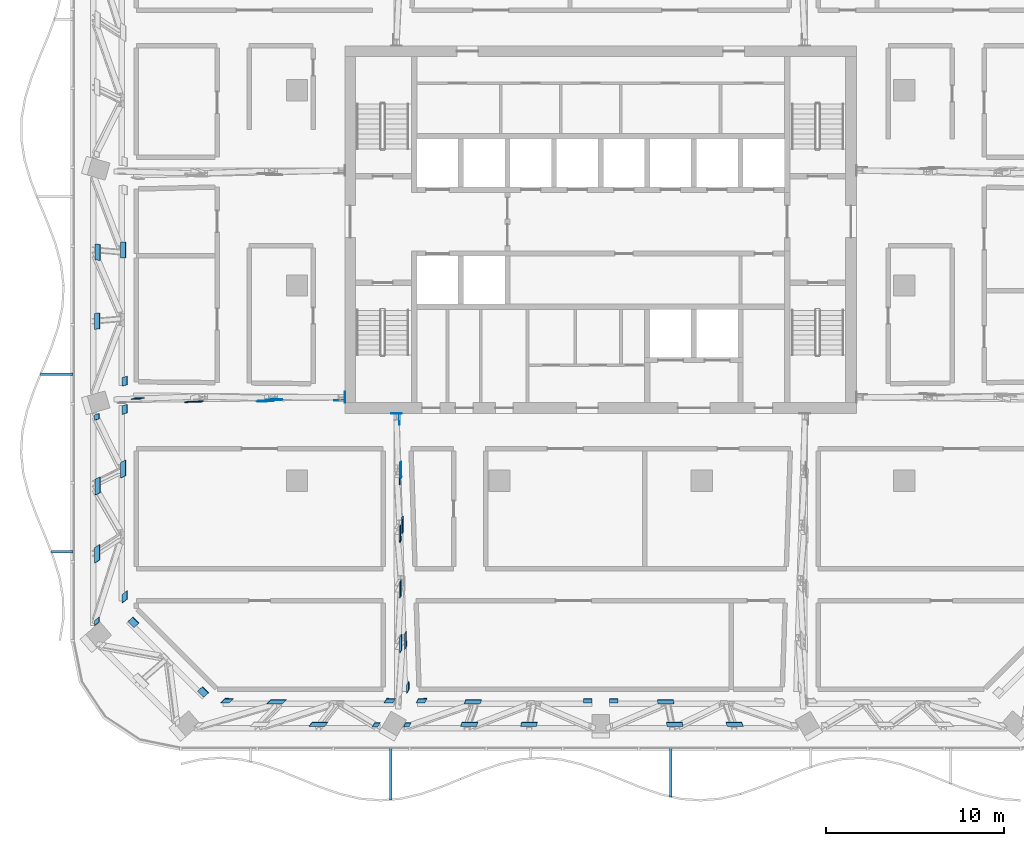
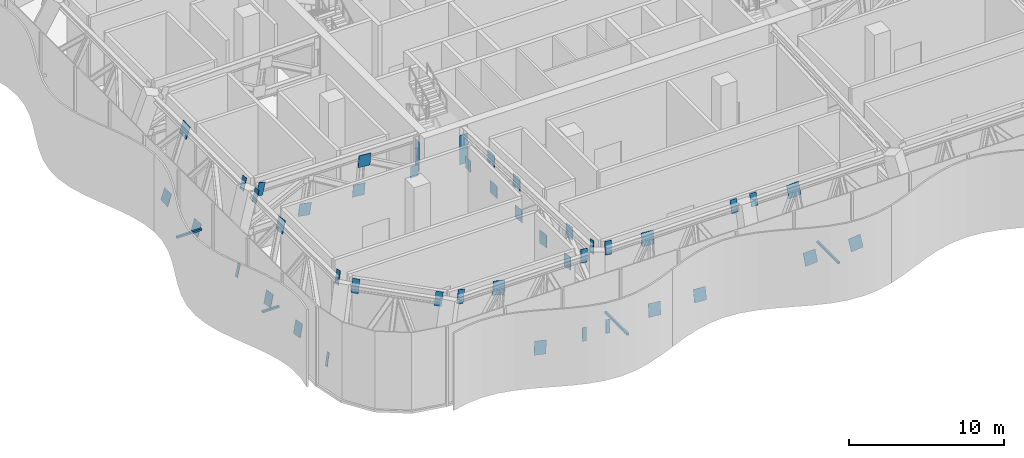
# One storey, part 15 of 29: 48 discrete accessories.
"""IFC4 building model written with IfcOpenShell, lengths in metres."""

from ifc_helpers import new_model, si_unit, direction, frame, origin, origin_2d, place, context, subcontext, project, spatial, rectangle, extrude, material, layer, layer_set, type_object, element, save


model = new_model("IFC4")

# Units and contexts
model_context = context("Model", 3, precision=1e-05, world=origin(), true_north=direction((0.0, 1.0)))
body_context = subcontext(model_context, "Body", "Model", "MODEL_VIEW")
ifc_project = project(units=[si_unit("LENGTHUNIT", "METRE"), si_unit("AREAUNIT", "SQUARE_METRE"), si_unit("VOLUMEUNIT", "CUBIC_METRE"), si_unit("PLANEANGLEUNIT", "RADIAN"), si_unit("MASSUNIT", "GRAM", prefix="KILO")], contexts=[model_context])

# Site, building, storey
site_placement = place(None, origin())
site = spatial("IfcSite", under=ifc_project, at=site_placement, CompositionType="ELEMENT")
building_placement = place(site_placement, origin())
building = spatial("IfcBuilding", under=site, at=building_placement, Name="Mopane Tessera Tower", CompositionType="ELEMENT")
storey_placement = place(building_placement, frame((0.0, 0.0, 315.39990234375)))
storey = spatial("IfcBuildingStorey", under=building, at=storey_placement, Name="L69", CompositionType="ELEMENT", Elevation=315.39990234375)

# Discrete accessories
ifc_material_1 = material(Name="Structural steel S460", Category="steel")
ifc_layer_1 = layer(ifc_material_1, 0.014892578125)
ifc_layer_set_1 = layer_set([ifc_layer_1], Name="Structural steel S460")
discrete_accessory_type_1 = type_object("IfcDiscreteAccessoryType", Name="Cast-in anchor plate 15 mm", PredefinedType="ANCHORPLATE", material=ifc_layer_set_1)
for number, where, z_axis, x_axis, name in (
    (1, (-14.407470703125, -6.300048828125, 2.72021484375), (0.0, 0.0, 1.0), (-1.0, 0.0, 0.0), "Cast-in anchor plate s ot L69 W2 p"),
    (2, (-11.5009765625, -7.20751953125, 2.72021484375), (0.0, 0.0, 1.0), (0.0, -1.0, 0.0), "Cast-in anchor plate s ot L69 S1 p"),
):
    element("IfcDiscreteAccessory", number, at=place(storey_placement, frame(where, z_axis=z_axis, x_axis=x_axis)), inside=storey, type_object=discrete_accessory_type_1, Name=name, PredefinedType="ANCHORPLATE", context=body_context, shape_type="SweptSolid", body=[
        extrude(rectangle(XDim=0.014892578125, YDim=0.60498046875, at=origin_2d()), origin(), (0.0, 0.0, 1.0), 2.309814453125),
    ])
ifc_material_2 = material(Name="Stainless steel S316", Category="steel")
discrete_accessory_type_2 = type_object("IfcDiscreteAccessoryType", Name="Louvre bracket 150 x 150", PredefinedType="BRACKET", material=ifc_material_2)
discrete_accessory_1_placement = place(storey_placement, frame((-11.824951171875, -27.51806640625, 2.5400390625), z_axis=(0.0, 0.0, 1.0), x_axis=(0.0, -1.0, 0.0)))
element("IfcDiscreteAccessory", 3, at=discrete_accessory_1_placement, inside=storey, type_object=discrete_accessory_type_2, Name="e:lv:L69:S:0:br1", PredefinedType="BRACKET", context=body_context, shape_type="SweptSolid", body=[
    extrude(rectangle(XDim=2.916015625, YDim=0.14990234375, at=origin_2d()), origin(), (0.0, 0.0, 1.0), 0.14990234375),
])
discrete_accessory_2_placement = place(storey_placement, frame((3.941650390625, -27.43212890625, 2.5400390625), z_axis=(0.0, 0.0, 1.0), x_axis=(0.0, -1.0, 0.0)))
element("IfcDiscreteAccessory", 4, at=discrete_accessory_2_placement, inside=storey, type_object=discrete_accessory_type_2, Name="e:lv:L69:S:1:br1", PredefinedType="BRACKET", context=body_context, shape_type="SweptSolid", body=[
    extrude(rectangle(XDim=2.744384765625, YDim=0.14990234375, at=origin_2d()), origin(), (0.0, 0.0, 1.0), 0.14990234375),
])
discrete_accessory_3_placement = place(storey_placement, frame((-30.63232421875, -5.0, 2.5400390625), z_axis=(0.0, 0.0, 1.0), x_axis=(-1.0, 0.0, 0.0)))
element("IfcDiscreteAccessory", 5, at=discrete_accessory_3_placement, inside=storey, type_object=discrete_accessory_type_2, Name="e:lv:L69:W:1:br0", PredefinedType="BRACKET", context=body_context, shape_type="SweptSolid", body=[
    extrude(rectangle(XDim=1.844482421875, YDim=0.14990234375, at=origin_2d()), origin(), (0.0, 0.0, 1.0), 0.14990234375),
])
discrete_accessory_4_placement = place(storey_placement, frame((-30.326416015625, -15.0, 2.5400390625), z_axis=(0.0, 0.0, 1.0), x_axis=(-1.0, 0.0, 0.0)))
element("IfcDiscreteAccessory", 6, at=discrete_accessory_4_placement, inside=storey, type_object=discrete_accessory_type_2, Name="e:lv:L69:W:1:br1", PredefinedType="BRACKET", context=body_context, shape_type="SweptSolid", body=[
    extrude(rectangle(XDim=1.23291015625, YDim=0.14990234375, at=origin_2d()), origin(), (0.0, 0.0, 1.0), 0.14990234375),
])
ifc_material_3 = material(Name="Structural steel S460", Category="steel")
ifc_layer_2 = layer(ifc_material_3, 0.030029296875)
ifc_layer_set_2 = layer_set([ifc_layer_2], Name="Structural steel S460")
discrete_accessory_type_3 = type_object("IfcDiscreteAccessoryType", Name="Truss node plate 30 mm", PredefinedType="BRACKET", material=ifc_layer_set_2)
discrete_accessory_5_placement = place(storey_placement, frame((-14.720703125, -6.47119140625, 2.35986328125), z_axis=(0.007322813267, 0.00216972245, 0.99997083393), x_axis=(0.018602269094, -0.999824895549, 0.002033180878)))
element("IfcDiscreteAccessory", 7, at=discrete_accessory_5_placement, inside=storey, type_object=discrete_accessory_type_3, Name="Truss node plate s ot L69 W2 0", PredefinedType="BRACKET", context=body_context, shape_type="SweptSolid", body=[
    extrude(rectangle(XDim=0.030029296875, YDim=0.599853515625, at=origin_2d()), origin(), (0.0, 0.0, 1.0), 0.900146484375),
])
discrete_accessory_6_placement = place(storey_placement, frame((-18.45703125, -6.457275390625, 4.490234375), z_axis=(0.096631281083, 0.028071657074, 0.994924307465), x_axis=(0.01585033655, -0.999518840826, 0.02666183911)))
element("IfcDiscreteAccessory", 8, at=discrete_accessory_6_placement, inside=storey, type_object=discrete_accessory_type_3, Name="Truss node plate s ot L69 W2 2", PredefinedType="BRACKET", context=body_context, shape_type="SweptSolid", body=[
    extrude(rectangle(XDim=0.030029296875, YDim=0.89990234375, at=origin_2d()), origin(), (0.0, 0.0, 1.0), 0.904541015625),
])
discrete_accessory_7_placement = place(storey_placement, frame((-18.914306640625, -6.52001953125, 2.35986328125), z_axis=(0.102476631417, 0.029664288042, 0.99429300009), x_axis=(0.015217546278, -0.999485026803, 0.028250796139)))
element("IfcDiscreteAccessory", 9, at=discrete_accessory_7_placement, inside=storey, type_object=discrete_accessory_type_3, Name="Truss node plate s ot L69 W2 3", PredefinedType="BRACKET", context=body_context, shape_type="SweptSolid", body=[
    extrude(rectangle(XDim=0.030029296875, YDim=0.89990234375, at=origin_2d()), origin(), (0.0, 0.0, 1.0), 0.9052734375),
])
discrete_accessory_8_placement = place(storey_placement, frame((-23.00048828125, -6.572265625, 2.27001953125), z_axis=(0.191879383431, 0.055278271127, 0.979860507907), x_axis=(0.021252525317, -0.998412408831, 0.052163129308)))
element("IfcDiscreteAccessory", 10, at=discrete_accessory_8_placement, inside=storey, type_object=discrete_accessory_type_3, Name="Truss node plate s ot L69 W2 5", PredefinedType="BRACKET", context=body_context, shape_type="SweptSolid", body=[
    extrude(rectangle(XDim=0.030029296875, YDim=0.89990234375, at=origin_2d()), origin(), (0.0, 0.0, 1.0), 0.918701171875),
])
discrete_accessory_9_placement = place(storey_placement, frame((-26.203369140625, -6.404541015625, 4.89013671875), z_axis=(0.273827006495, 0.079053570726, 0.958524545053), x_axis=(0.032455561952, -0.996808159245, 0.072939222375)))
element("IfcDiscreteAccessory", 11, at=discrete_accessory_9_placement, inside=storey, type_object=discrete_accessory_type_3, Name="Truss node plate s ot L69 W2 7", PredefinedType="BRACKET", context=body_context, shape_type="SweptSolid", body=[
    extrude(rectangle(XDim=0.030029296875, YDim=0.489990234375, at=origin_2d()), origin(), (0.0, 0.0, 1.0), 0.938720703125),
])
discrete_accessory_10_placement = place(storey_placement, frame((-11.3330078125, -7.53662109375, 2.34814453125), z_axis=(0.002984211852, 0.005154547744, 0.999982262401), x_axis=(0.999993202212, 0.002150241578, -0.002995328219)))
element("IfcDiscreteAccessory", 12, at=discrete_accessory_10_placement, inside=storey, type_object=discrete_accessory_type_3, Name="Truss node plate s ot L69 S1 0", PredefinedType="BRACKET", context=body_context, shape_type="SweptSolid", body=[
    extrude(rectangle(XDim=0.030029296875, YDim=0.63232421875, at=origin_2d()), origin(), (0.0, 0.0, 1.0), 0.89990234375),
])
discrete_accessory_11_placement = place(storey_placement, frame((-11.262451171875, -10.392822265625, 4.501953125), z_axis=(0.029511705208, 0.051171672333, 0.998253734882), x_axis=(0.999557101301, 0.00231473776, -0.029668893268)))
element("IfcDiscreteAccessory", 13, at=discrete_accessory_11_placement, inside=storey, type_object=discrete_accessory_type_3, Name="Truss node plate s ot L69 S1 2", PredefinedType="BRACKET", context=body_context, shape_type="SweptSolid", body=[
    extrude(rectangle(XDim=0.030029296875, YDim=0.89990234375, at=origin_2d()), origin(), (0.0, 0.0, 1.0), 0.901611328125),
])
discrete_accessory_12_placement = place(storey_placement, frame((-11.32568359375, -10.785888671875, 2.34814453125), z_axis=(0.0322177711, 0.055501202315, 0.997938691387), x_axis=(0.999480361719, -0.000779264897, -0.032224203402)))
element("IfcDiscreteAccessory", 14, at=discrete_accessory_12_placement, inside=storey, type_object=discrete_accessory_type_3, Name="Truss node plate s ot L69 S1 3", PredefinedType="BRACKET", context=body_context, shape_type="SweptSolid", body=[
    extrude(rectangle(XDim=0.030029296875, YDim=0.89990234375, at=origin_2d()), origin(), (0.0, 0.0, 1.0), 0.90185546875),
])
discrete_accessory_13_placement = place(storey_placement, frame((-11.1923828125, -13.533447265625, 4.501953125), z_axis=(0.058451649729, 0.101280277872, 0.993139320518), x_axis=(0.998284027611, -0.002420219805, -0.058507629874)))
element("IfcDiscreteAccessory", 15, at=discrete_accessory_13_placement, inside=storey, type_object=discrete_accessory_type_3, Name="Truss node plate s ot L69 S1 4", PredefinedType="BRACKET", context=body_context, shape_type="SweptSolid", body=[
    extrude(rectangle(XDim=0.030029296875, YDim=0.89990234375, at=origin_2d()), origin(), (0.0, 0.0, 1.0), 0.90625),
])
discrete_accessory_14_placement = place(storey_placement, frame((-11.318359375, -14.03515625, 2.34814453125), z_axis=(0.06085798913, 0.105289706858, 0.992577645723), x_axis=(0.998142361771, -0.003578780559, -0.060819552513)))
element("IfcDiscreteAccessory", 16, at=discrete_accessory_14_placement, inside=storey, type_object=discrete_accessory_type_3, Name="Truss node plate s ot L69 S1 5", PredefinedType="BRACKET", context=body_context, shape_type="SweptSolid", body=[
    extrude(rectangle(XDim=0.030029296875, YDim=0.89990234375, at=origin_2d()), origin(), (0.0, 0.0, 1.0), 0.90673828125),
])
discrete_accessory_15_placement = place(storey_placement, frame((-11.318603515625, -17.155029296875, 2.27001953125), z_axis=(0.087847504645, 0.151930790708, 0.984479482144), x_axis=(0.996130324021, -0.01073751475, -0.087230059862)))
element("IfcDiscreteAccessory", 17, at=discrete_accessory_15_placement, inside=storey, type_object=discrete_accessory_type_3, Name="Truss node plate s ot L69 S1 7", PredefinedType="BRACKET", context=body_context, shape_type="SweptSolid", body=[
    extrude(rectangle(XDim=0.030029296875, YDim=0.89990234375, at=origin_2d()), origin(), (0.0, 0.0, 1.0), 0.914306640625),
])
discrete_accessory_16_placement = place(storey_placement, frame((-11.3046875, -20.2509765625, 2.34814453125), z_axis=(0.114114814591, 0.197323533563, 0.97367408931), x_axis=(0.993464194176, -0.020111218643, -0.112358505577)))
element("IfcDiscreteAccessory", 18, at=discrete_accessory_16_placement, inside=storey, type_object=discrete_accessory_type_3, Name="Truss node plate s ot L69 S1 9", PredefinedType="BRACKET", context=body_context, shape_type="SweptSolid", body=[
    extrude(rectangle(XDim=0.030029296875, YDim=0.89990234375, at=origin_2d()), origin(), (0.0, 0.0, 1.0), 0.92431640625),
])
discrete_accessory_17_placement = place(storey_placement, frame((-11.046630859375, -20.084716796875, 4.4990234375), z_axis=(0.116332443899, 0.201273593413, 0.97260254117), x_axis=(0.993206322093, -0.020792181054, -0.114494047708)))
element("IfcDiscreteAccessory", 19, at=discrete_accessory_17_placement, inside=storey, type_object=discrete_accessory_type_3, Name="Truss node plate s ot L69 S1 10", PredefinedType="BRACKET", context=body_context, shape_type="SweptSolid", body=[
    extrude(rectangle(XDim=0.030029296875, YDim=0.89990234375, at=origin_2d()), origin(), (0.0, 0.0, 1.0), 0.925537109375),
])
discrete_accessory_18_placement = place(storey_placement, frame((-10.92822265625, -22.752197265625, 4.89013671875), z_axis=(0.139641960679, 0.241507644682, 0.960299005715), x_axis=(0.990198526327, -0.031466702888, -0.136076173775)))
element("IfcDiscreteAccessory", 20, at=discrete_accessory_18_placement, inside=storey, type_object=discrete_accessory_type_3, Name="Truss node plate s ot L69 S1 12", PredefinedType="BRACKET", context=body_context, shape_type="SweptSolid", body=[
    extrude(rectangle(XDim=0.030029296875, YDim=0.489990234375, at=origin_2d()), origin(), (0.0, 0.0, 1.0), 0.93701171875),
])
discrete_accessory_19_placement = place(storey_placement, frame((-21.177734375, -23.50244140625, 4.984130859375), z_axis=(0.274499772377, 0.247780786268, 0.92911493203), x_axis=(-0.069903971838, 0.968816076177, -0.237715891902)))
element("IfcDiscreteAccessory", 21, at=discrete_accessory_19_placement, inside=storey, type_object=discrete_accessory_type_3, Name="Truss node plate s bt L69 S0-S1 1", PredefinedType="BRACKET", context=body_context, shape_type="SweptSolid", body=[
    extrude(rectangle(XDim=0.030029296875, YDim=0.489990234375, at=origin_2d()), origin(), (0.0, 0.0, 1.0), 0.968505859375),
])
discrete_accessory_20_placement = place(storey_placement, frame((-18.373046875, -23.56787109375, 4.738525390625), z_axis=(0.239433700375, 0.250120433017, 0.938142458325), x_axis=(-0.061879097082, 0.968214732548, -0.242345226943)))
element("IfcDiscreteAccessory", 22, at=discrete_accessory_20_placement, inside=storey, type_object=discrete_accessory_type_3, Name="Truss node plate s bt L69 S0-S1 2", PredefinedType="BRACKET", context=body_context, shape_type="SweptSolid", body=[
    extrude(rectangle(XDim=0.030029296875, YDim=0.89990234375, at=origin_2d()), origin(), (0.0, 0.0, 1.0), 0.95947265625),
])
discrete_accessory_21_placement = place(storey_placement, frame((-15.998046875, -24.836181640625, -0.017822265625), z_axis=(0.19760708513, 0.252597873449, 0.947177783859), x_axis=(-0.051334548911, 0.967571315999, -0.24732673237)))
element("IfcDiscreteAccessory", 23, at=discrete_accessory_21_placement, inside=storey, type_object=discrete_accessory_type_3, Name="Truss node plate s bt L69 S0-S1 5", PredefinedType="BRACKET", context=body_context, shape_type="SweptSolid", body=[
    extrude(rectangle(XDim=0.030029296875, YDim=0.89990234375, at=origin_2d()), origin(), (0.0, 0.0, 1.0), 0.9501953125),
])
discrete_accessory_22_placement = place(storey_placement, frame((-11.9609375, -23.50244140625, 4.984130859375), z_axis=(0.159158218115, 0.254394355133, 0.953914133286), x_axis=(-0.041685274756, 0.967100553491, -0.25095588717)))
element("IfcDiscreteAccessory", 24, at=discrete_accessory_22_placement, inside=storey, type_object=discrete_accessory_type_3, Name="Truss node plate s bt L69 S0-S1 7", PredefinedType="BRACKET", context=body_context, shape_type="SweptSolid", body=[
    extrude(rectangle(XDim=0.030029296875, YDim=0.489990234375, at=origin_2d()), origin(), (0.0, 0.0, 1.0), 0.943359375),
])
discrete_accessory_23_placement = place(storey_placement, frame((-12.71875, -24.857177734375, -0.096435546875), z_axis=(0.158109970765, 0.254373324487, 0.954094046169), x_axis=(-0.041191599282, 0.967106023979, -0.251016315273)))
element("IfcDiscreteAccessory", 25, at=discrete_accessory_23_placement, inside=storey, type_object=discrete_accessory_type_3, Name="Truss node plate s bt L69 S0-S1 8", PredefinedType="BRACKET", context=body_context, shape_type="SweptSolid", body=[
    extrude(rectangle(XDim=0.030029296875, YDim=0.311767578125, at=origin_2d()), origin(), (0.0, 0.0, 1.0), 0.943359375),
])
discrete_accessory_24_placement = place(storey_placement, frame((-10.961669921875, -24.85693359375, -0.095458984375), z_axis=(0.136845666594, 0.255254820231, 0.957140658568), x_axis=(-0.035428208449, 0.966873575277, -0.252785148846)))
element("IfcDiscreteAccessory", 26, at=discrete_accessory_24_placement, inside=storey, type_object=discrete_accessory_type_3, Name="Truss node plate s bt L69 S1-S2 0", PredefinedType="BRACKET", context=body_context, shape_type="SweptSolid", body=[
    extrude(rectangle(XDim=0.030029296875, YDim=0.310302734375, at=origin_2d()), origin(), (0.0, 0.0, 1.0), 0.940185546875),
])
discrete_accessory_25_placement = place(storey_placement, frame((-10.152099609375, -23.50244140625, 4.984130859375), z_axis=(0.135316340697, 0.255308949914, 0.957343631114), x_axis=(-0.036396276578, 0.966859306663, -0.252702180779)))
element("IfcDiscreteAccessory", 27, at=discrete_accessory_25_placement, inside=storey, type_object=discrete_accessory_type_3, Name="Truss node plate s bt L69 S1-S2 1", PredefinedType="BRACKET", context=body_context, shape_type="SweptSolid", body=[
    extrude(rectangle(XDim=0.030029296875, YDim=0.489990234375, at=origin_2d()), origin(), (0.0, 0.0, 1.0), 0.93994140625),
])
discrete_accessory_26_placement = place(storey_placement, frame((-7.242919921875, -23.568115234375, 4.737548828125), z_axis=(0.096771234262, 0.256404644959, 0.961713047776), x_axis=(-0.025676651051, 0.966569530872, -0.255115761136)))
element("IfcDiscreteAccessory", 28, at=discrete_accessory_26_placement, inside=storey, type_object=discrete_accessory_type_3, Name="Truss node plate s bt L69 S1-S2 2", PredefinedType="BRACKET", context=body_context, shape_type="SweptSolid", body=[
    extrude(rectangle(XDim=0.030029296875, YDim=0.89990234375, at=origin_2d()), origin(), (0.0, 0.0, 1.0), 0.93603515625),
])
discrete_accessory_27_placement = place(storey_placement, frame((-7.447509765625, -24.82861328125, 0.010498046875), z_axis=(0.093410448212, 0.256487348023, 0.962023247364), x_axis=(-0.024760694494, 0.966547587867, -0.255289381677)))
element("IfcDiscreteAccessory", 29, at=discrete_accessory_27_placement, inside=storey, type_object=discrete_accessory_type_3, Name="Truss node plate s bt L69 S1-S2 3", PredefinedType="BRACKET", context=body_context, shape_type="SweptSolid", body=[
    extrude(rectangle(XDim=0.030029296875, YDim=0.89990234375, at=origin_2d()), origin(), (0.0, 0.0, 1.0), 0.935791015625),
])
discrete_accessory_28_placement = place(storey_placement, frame((-4.062255859375, -24.836181640625, -0.017822265625), z_axis=(0.051310832751, 0.257339533643, 0.964957803672), x_axis=(-0.012831236184, 0.966320709822, -0.257020709567)))
element("IfcDiscreteAccessory", 30, at=discrete_accessory_28_placement, inside=storey, type_object=discrete_accessory_type_3, Name="Truss node plate s bt L69 S1-S2 5", PredefinedType="BRACKET", context=body_context, shape_type="SweptSolid", body=[
    extrude(rectangle(XDim=0.030029296875, YDim=0.89990234375, at=origin_2d()), origin(), (0.0, 0.0, 1.0), 0.9326171875),
])
for number, where, z_axis, x_axis, name in (
    (31, (-0.737060546875, -23.50244140625, 4.984130859375), (0.009960645933, 0.257666182939, 0.966182655455), (-0.002534652791, 0.966233990487, -0.257653742768), "Truss node plate s bt L69 S1-S2 7"),
    (32, (0.737060546875, -23.50244140625, 4.984130859375), (-0.009960645933, 0.257666182939, 0.966182655455), (0.002534652791, 0.966233990487, -0.257653742768), "Truss node plate s bt L69 S2-S3 1"),
):
    element("IfcDiscreteAccessory", number, at=place(storey_placement, frame(where, z_axis=z_axis, x_axis=x_axis)), inside=storey, type_object=discrete_accessory_type_3, Name=name, PredefinedType="BRACKET", context=body_context, shape_type="SweptSolid", body=[
        extrude(rectangle(XDim=0.030029296875, YDim=0.489990234375, at=origin_2d()), origin(), (0.0, 0.0, 1.0), 0.931396484375),
    ])
discrete_accessory_29_placement = place(storey_placement, frame((3.683837890625, -23.568115234375, 4.737548828125), z_axis=(-0.049470373495, 0.257298291778, 0.965064905172), x_axis=(0.012867346975, 0.966331983369, -0.256976515073)))
element("IfcDiscreteAccessory", 33, at=discrete_accessory_29_placement, inside=storey, type_object=discrete_accessory_type_3, Name="Truss node plate s bt L69 S2-S3 2", PredefinedType="BRACKET", context=body_context, shape_type="SweptSolid", body=[
    extrude(rectangle(XDim=0.030029296875, YDim=0.89990234375, at=origin_2d()), origin(), (0.0, 0.0, 1.0), 0.9326171875),
])
discrete_accessory_30_placement = place(storey_placement, frame((4.197021484375, -24.82861328125, 0.010498046875), z_axis=(-0.052863893564, 0.257253501849, 0.964896908765), x_axis=(0.013805728546, 0.966343918513, -0.256882916933)))
element("IfcDiscreteAccessory", 34, at=discrete_accessory_30_placement, inside=storey, type_object=discrete_accessory_type_3, Name="Truss node plate s bt L69 S2-S3 3", PredefinedType="BRACKET", context=body_context, shape_type="SweptSolid", body=[
    extrude(rectangle(XDim=0.030029296875, YDim=0.89990234375, at=origin_2d()), origin(), (0.0, 0.0, 1.0), 0.932861328125),
])
discrete_accessory_31_placement = place(storey_placement, frame((7.586669921875, -24.836181640625, -0.017822265625), z_axis=(-0.095244405657, 0.25650753633, 0.961838025344), x_axis=(0.024831178564, 0.966542133918, -0.255303184337)))
element("IfcDiscreteAccessory", 35, at=discrete_accessory_31_placement, inside=storey, type_object=discrete_accessory_type_3, Name="Truss node plate s bt L69 S2-S3 5", PredefinedType="BRACKET", context=body_context, shape_type="SweptSolid", body=[
    extrude(rectangle(XDim=0.030029296875, YDim=0.89990234375, at=origin_2d()), origin(), (0.0, 0.0, 1.0), 0.935546875),
])
discrete_accessory_32_placement = place(storey_placement, frame((-27.022705078125, 2.013671875, 4.7314453125), z_axis=(0.294648579259, -0.027469436589, 0.955210785531), x_axis=(0.955605643074, 0.008193753833, -0.294534747224)))
element("IfcDiscreteAccessory", 36, at=discrete_accessory_32_placement, inside=storey, type_object=discrete_accessory_type_3, Name="Truss node plate s bt L69 W1-W2 2", PredefinedType="BRACKET", context=body_context, shape_type="SweptSolid", body=[
    extrude(rectangle(XDim=0.030029296875, YDim=0.89990234375, at=origin_2d()), origin(), (0.0, 0.0, 1.0), 0.942138671875),
])
discrete_accessory_33_placement = place(storey_placement, frame((-28.47607421875, 1.887939453125, 0.01708984375), z_axis=(0.294437486861, -0.024104477357, 0.955366704728), x_axis=(0.955670724235, 0.007235956174, -0.294348616063)))
element("IfcDiscreteAccessory", 37, at=discrete_accessory_33_placement, inside=storey, type_object=discrete_accessory_type_3, Name="Truss node plate s bt L69 W1-W2 3", PredefinedType="BRACKET", context=body_context, shape_type="SweptSolid", body=[
    extrude(rectangle(XDim=0.030029296875, YDim=0.89990234375, at=origin_2d()), origin(), (0.0, 0.0, 1.0), 0.94189453125),
])
discrete_accessory_34_placement = place(storey_placement, frame((-28.487060546875, -2.02001953125, -0.017822265625), z_axis=(0.294662777856, 0.025656653481, 0.955256815458), x_axis=(0.955601261058, -0.008201985709, -0.294548735008)))
element("IfcDiscreteAccessory", 38, at=discrete_accessory_34_placement, inside=storey, type_object=discrete_accessory_type_3, Name="Truss node plate s bt L69 W1-W2 5", PredefinedType="BRACKET", context=body_context, shape_type="SweptSolid", body=[
    extrude(rectangle(XDim=0.030029296875, YDim=0.89990234375, at=origin_2d()), origin(), (0.0, 0.0, 1.0), 0.942138671875),
])
discrete_accessory_35_placement = place(storey_placement, frame((-26.94482421875, -5.421875, 4.984130859375), z_axis=(0.293952945587, 0.07394067057, 0.952955635387), x_axis=(0.955819841025, -0.022414379027, -0.293097299741)))
element("IfcDiscreteAccessory", 39, at=discrete_accessory_35_placement, inside=storey, type_object=discrete_accessory_type_3, Name="Truss node plate s bt L69 W1-W2 7", PredefinedType="BRACKET", context=body_context, shape_type="SweptSolid", body=[
    extrude(rectangle(XDim=0.030029296875, YDim=0.489990234375, at=origin_2d()), origin(), (0.0, 0.0, 1.0), 0.9443359375),
])
discrete_accessory_36_placement = place(storey_placement, frame((-28.50927734375, -7.443359375, -0.090087890625), z_axis=(0.293441868587, 0.094458860073, 0.951298792974), x_axis=(0.955976866944, -0.028666057055, -0.292038502668)))
element("IfcDiscreteAccessory", 40, at=discrete_accessory_36_placement, inside=storey, type_object=discrete_accessory_type_3, Name="Truss node plate s bt L69 W2-W3 0", PredefinedType="BRACKET", context=body_context, shape_type="SweptSolid", body=[
    extrude(rectangle(XDim=0.030029296875, YDim=0.307861328125, at=origin_2d()), origin(), (0.0, 0.0, 1.0), 0.946044921875),
])
discrete_accessory_37_placement = place(storey_placement, frame((-26.94482421875, -7.025390625, 4.984130859375), z_axis=(0.293413101939, 0.095481836163, 0.951205535399), x_axis=(0.955985745609, -0.029384762405, -0.291937989872)))
element("IfcDiscreteAccessory", 41, at=discrete_accessory_37_placement, inside=storey, type_object=discrete_accessory_type_3, Name="Truss node plate s bt L69 W2-W3 1", PredefinedType="BRACKET", context=body_context, shape_type="SweptSolid", body=[
    extrude(rectangle(XDim=0.030029296875, YDim=0.489990234375, at=origin_2d()), origin(), (0.0, 0.0, 1.0), 0.946044921875),
])
discrete_accessory_38_placement = place(storey_placement, frame((-27.0224609375, -10.404541015625, 4.732177734375), z_axis=(0.291779754396, 0.140115871504, 0.946167066367), x_axis=(0.956485529651, -0.042826238941, -0.288619723556)))
element("IfcDiscreteAccessory", 42, at=discrete_accessory_38_placement, inside=storey, type_object=discrete_accessory_type_3, Name="Truss node plate s bt L69 W2-W3 2", PredefinedType="BRACKET", context=body_context, shape_type="SweptSolid", body=[
    extrude(rectangle(XDim=0.030029296875, YDim=0.89990234375, at=origin_2d()), origin(), (0.0, 0.0, 1.0), 0.951416015625),
])
discrete_accessory_39_placement = place(storey_placement, frame((-28.4765625, -11.365234375, 0.01611328125), z_axis=(0.291712601305, 0.143418948223, 0.945692742666), x_axis=(0.956506015789, -0.043739954569, -0.288414732867)))
element("IfcDiscreteAccessory", 43, at=discrete_accessory_39_placement, inside=storey, type_object=discrete_accessory_type_3, Name="Truss node plate s bt L69 W2-W3 3", PredefinedType="BRACKET", context=body_context, shape_type="SweptSolid", body=[
    extrude(rectangle(XDim=0.030029296875, YDim=0.89990234375, at=origin_2d()), origin(), (0.0, 0.0, 1.0), 0.95166015625),
])
discrete_accessory_40_placement = place(storey_placement, frame((-28.487060546875, -15.2001953125, -0.017822265625), z_axis=(0.28938349117, 0.190122663064, 0.938142083071), x_axis=(0.957213231278, -0.057639221657, -0.283585172378)))
element("IfcDiscreteAccessory", 44, at=discrete_accessory_40_placement, inside=storey, type_object=discrete_accessory_type_3, Name="Truss node plate s bt L69 W2-W3 5", PredefinedType="BRACKET", context=body_context, shape_type="SweptSolid", body=[
    extrude(rectangle(XDim=0.030029296875, YDim=0.89990234375, at=origin_2d()), origin(), (0.0, 0.0, 1.0), 0.959228515625),
])
discrete_accessory_41_placement = place(storey_placement, frame((-26.94482421875, -17.650146484375, 4.984130859375), z_axis=(0.286549245447, 0.23438064931, 0.928953842321), x_axis=(0.958065497238, -0.069917590208, -0.277888527256)))
element("IfcDiscreteAccessory", 45, at=discrete_accessory_41_placement, inside=storey, type_object=discrete_accessory_type_3, Name="Truss node plate s bt L69 W2-W3 7", PredefinedType="BRACKET", context=body_context, shape_type="SweptSolid", body=[
    extrude(rectangle(XDim=0.030029296875, YDim=0.489990234375, at=origin_2d()), origin(), (0.0, 0.0, 1.0), 0.96875),
])
discrete_accessory_42_placement = place(storey_placement, frame((-28.50927734375, -19.02880859375, -0.090087890625), z_axis=(0.286481419079, 0.235333021477, 0.928733958421), x_axis=(0.95808575168, -0.070669707025, -0.277628321568)))
element("IfcDiscreteAccessory", 46, at=discrete_accessory_42_placement, inside=storey, type_object=discrete_accessory_type_3, Name="Truss node plate s bt L69 W2-W3 8", PredefinedType="BRACKET", context=body_context, shape_type="SweptSolid", body=[
    extrude(rectangle(XDim=0.030029296875, YDim=0.29150390625, at=origin_2d()), origin(), (0.0, 0.0, 1.0), 0.968994140625),
])
for number, where, z_axis, x_axis, name in (
    (47, (-26.455322265625, -19.090576171875, 4.984130859375), (0.285382567275, 0.247197575879, 0.92598604135), (0.646761608592, 0.6633366474, -0.376409237223), "Truss node plate s bt L69 W3-S0 1"),
    (48, (-22.532958984375, -23.012939453125, 4.984130859375), (0.285631026332, 0.246943974392, 0.925977100315), (0.647377127261, 0.66272353463, -0.376431098274), "Truss node plate s bt L69 W3-S0 6"),
):
    element("IfcDiscreteAccessory", number, at=place(storey_placement, frame(where, z_axis=z_axis, x_axis=x_axis)), inside=storey, type_object=discrete_accessory_type_3, Name=name, PredefinedType="BRACKET", context=body_context, shape_type="SweptSolid", body=[
        extrude(rectangle(XDim=0.030029296875, YDim=0.489990234375, at=origin_2d()), origin(), (0.0, 0.0, 1.0), 0.971923828125),
    ])

save(model, "model.ifc")
